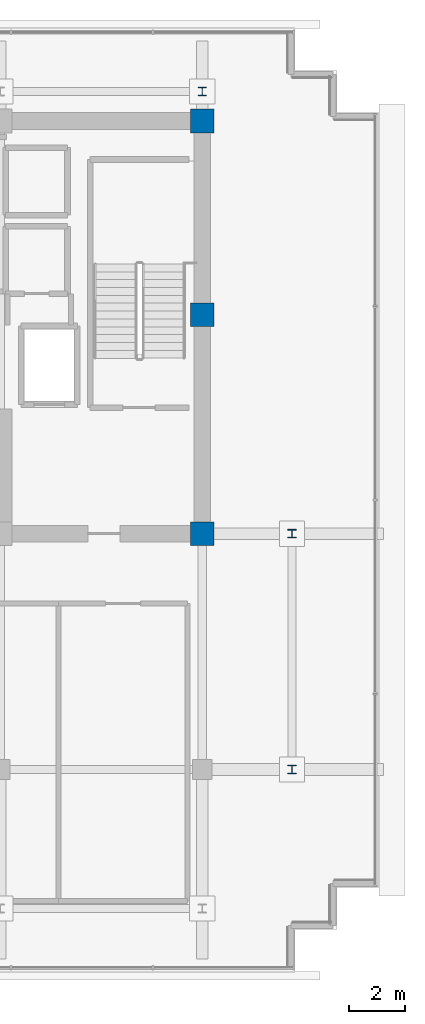
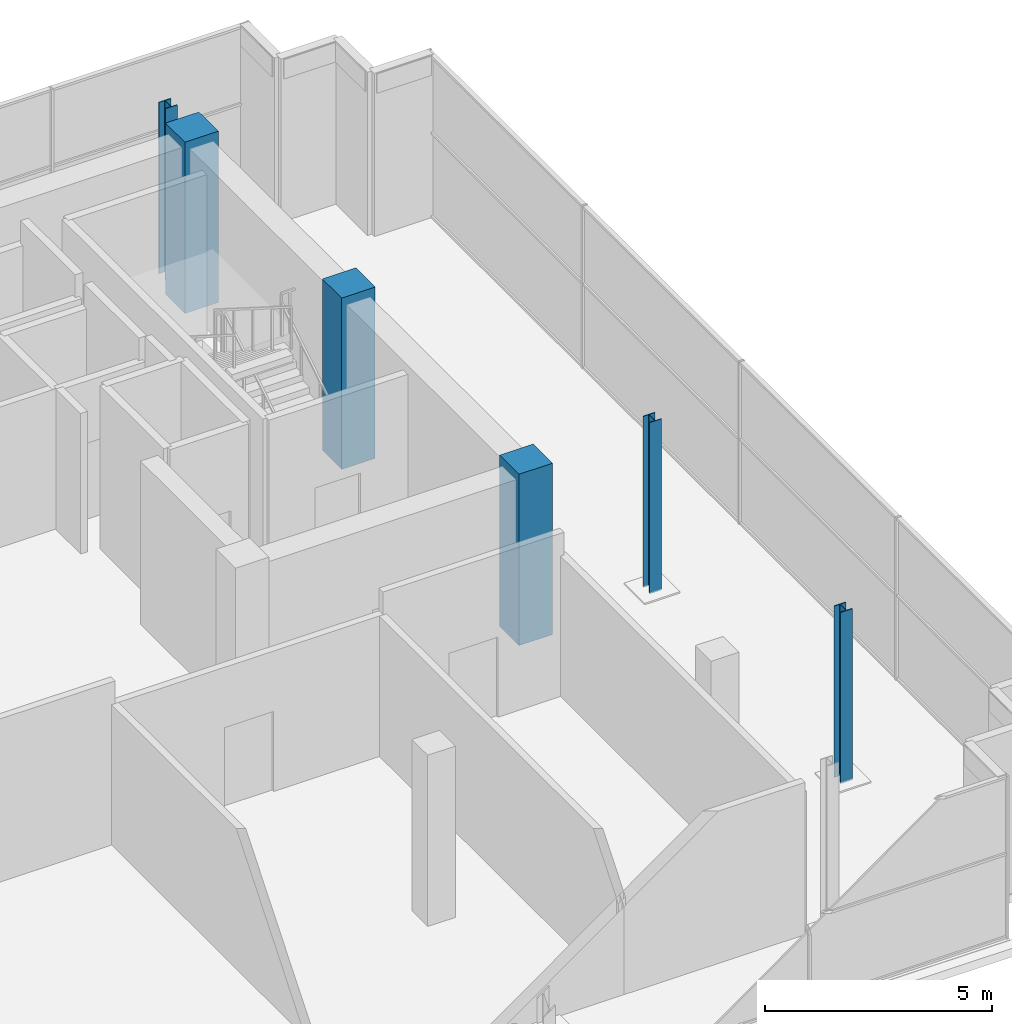
# One storey, part 2 of 28: 6 columns.
"""IFC4 building model written with IfcOpenShell, lengths in metres."""

from ifc_helpers import new_model, si_unit, direction, frame, origin, origin_2d, place, context, subcontext, project, spatial, rectangle, i_section, extrude, material, material_profile, profile_set, type_object, element, save


model = new_model("IFC4")

# Units and contexts
model_context = context("Model", 3, precision=1e-05, world=origin(), true_north=direction((0.0, 1.0)))
body_context = subcontext(model_context, "Body", "Model", "MODEL_VIEW")
ifc_project = project(units=[si_unit("LENGTHUNIT", "METRE"), si_unit("AREAUNIT", "SQUARE_METRE"), si_unit("VOLUMEUNIT", "CUBIC_METRE"), si_unit("PLANEANGLEUNIT", "RADIAN"), si_unit("MASSUNIT", "GRAM", prefix="KILO")], contexts=[model_context])

# Site, building, storey
site_placement = place(None, origin())
site = spatial("IfcSite", under=ifc_project, at=site_placement, CompositionType="ELEMENT")
building_placement = place(site_placement, origin())
building = spatial("IfcBuilding", under=site, at=building_placement, Name="Zarnakvel Exchange Tower", CompositionType="ELEMENT")
storey_placement = place(building_placement, frame((0.0, 0.0, 271.60009765625)))
storey = spatial("IfcBuildingStorey", under=building, at=storey_placement, Name="Crown L77", CompositionType="ELEMENT", Elevation=271.60009765625)

# Columns
ifc_material_1 = material(Name="Concrete C50/60", Category="concrete")
ifc_material_profile_1 = material_profile(ifc_material_1, rectangle(XDim=0.85009765625, YDim=0.85009765625, at=origin_2d()))
ifc_profile_set_1 = profile_set([ifc_material_profile_1], Name="Concrete C50/60")
column_type_1 = type_object("IfcColumnType", Name="CC-03", PredefinedType="COLUMN", material=ifc_profile_set_1)
for number, where, z_axis, x_axis, name in (
    (1, (14.39990234375, -1.199951171875, 0.0), (0.0, 0.0, 1.0), (1.0, 0.0, 0.0), "Crown L77 Column C-9D (CC-03)"),
    (2, (14.39990234375, 6.60009765625, 0.0), (0.0, 0.0, 1.0), (1.0, 0.0, 0.0), "Crown L77 Column C-9E (CC-03)"),
    (3, (14.39990234375, 13.5, 0.0), (0.0, 0.0, 1.0), (1.0, 0.0, 0.0), "Crown L77 Column C-9F (CC-03)"),
):
    element("IfcColumn", number, at=place(storey_placement, frame(where, z_axis=z_axis, x_axis=x_axis)), inside=storey, type_object=column_type_1, Name=name, PredefinedType="COLUMN", context=body_context, shape_type="SweptSolid", body=[
        extrude(rectangle(XDim=0.85009765625, YDim=0.85009765625, at=origin_2d()), origin(), (0.0, 0.0, 1.0), 4.599853515625),
    ])
ifc_material_2 = material(Name="Steel S355", Category="steel")
ifc_material_profile_2 = material_profile(ifc_material_2, i_section(OverallWidth=0.300048828125, OverallDepth=0.300048828125, WebThickness=0.010986328125, FlangeThickness=0.01904296875, FilletRadius=0.027099609375, at=origin_2d()))
ifc_profile_set_2 = profile_set([ifc_material_profile_2], Name="Steel S355")
column_type_2 = type_object("IfcColumnType", Name="CF-01", PredefinedType="COLUMN", material=ifc_profile_set_2)
for number, where, z_axis, x_axis, name in (
    (4, (14.39990234375, 14.550048828125, 0.0), (0.0, 0.0, 1.0), (1.0, 0.0, 0.0), "Crown L77 Column CN-9 (CF-01)"),
    (5, (17.60009765625, -9.60009765625, 0.0), (0.0, 0.0, 1.0), (1.0, 0.0, 0.0), "Crown L77 Column CE-C (CF-01)"),
    (6, (17.60009765625, -1.199951171875, 0.0), (0.0, 0.0, 1.0), (1.0, 0.0, 0.0), "Crown L77 Column CE-D (CF-01)"),
):
    element("IfcColumn", number, at=place(storey_placement, frame(where, z_axis=z_axis, x_axis=x_axis)), inside=storey, type_object=column_type_2, Name=name, PredefinedType="COLUMN", context=body_context, shape_type="SweptSolid", body=[
        extrude(i_section(OverallWidth=0.300048828125, OverallDepth=0.300048828125, WebThickness=0.010986328125, FlangeThickness=0.01904296875, FilletRadius=0.027099609375, at=origin_2d()), origin(), (0.0, 0.0, 1.0), 4.599853515625),
    ])

save(model, "model.ifc")
